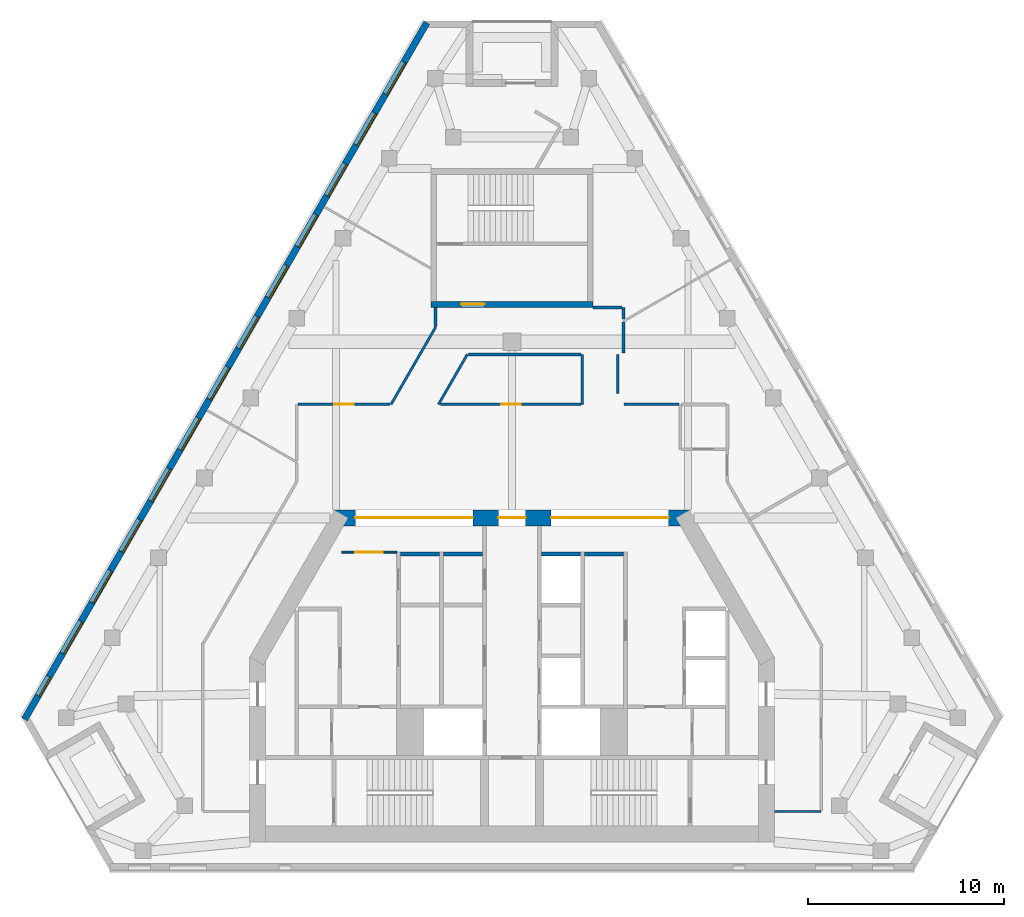
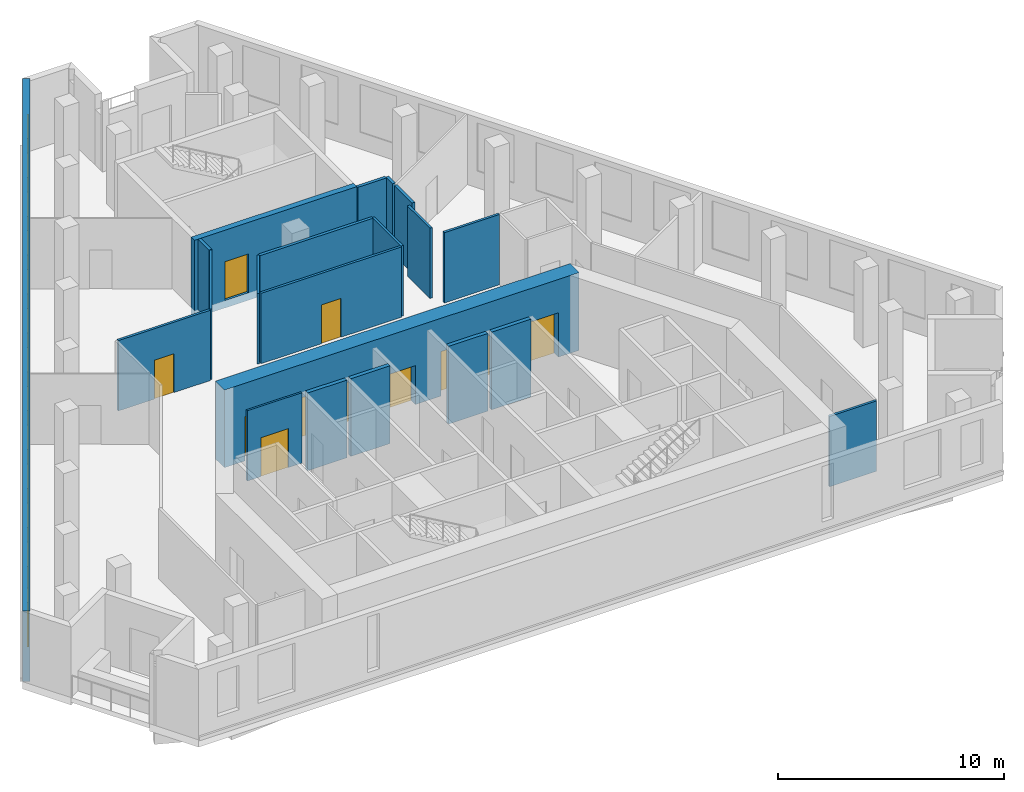
# One storey, part 4 of 8: 21 walls, 13 windows, 7 doors, 20 openings.
"""IFC4 building model written with IfcOpenShell, lengths in metres."""

from ifc_helpers import new_model, si_unit, direction, frame, frame_2d, origin, place, context, subcontext, project, spatial, rectangle, extrude, material, layer, layer_set, type_object, element, fill, save


model = new_model("IFC4")

# Units and contexts
model_context = context("Model", 3, precision=1e-05, world=origin(), true_north=direction((0.0, 1.0)))
body_context = subcontext(model_context, "Body", "Model", "MODEL_VIEW")
ifc_project = project(units=[si_unit("LENGTHUNIT", "METRE"), si_unit("AREAUNIT", "SQUARE_METRE"), si_unit("VOLUMEUNIT", "CUBIC_METRE"), si_unit("PLANEANGLEUNIT", "RADIAN"), si_unit("MASSUNIT", "GRAM", prefix="KILO")], contexts=[model_context])

# Site, building, storey
site_placement = place(None, origin())
site = spatial("IfcSite", under=ifc_project, at=site_placement, CompositionType="ELEMENT")
building_placement = place(site_placement, origin())
building = spatial("IfcBuilding", under=site, at=building_placement, Name="Fogline Exchange Tower", CompositionType="ELEMENT")
storey_placement = place(building_placement, frame((0.0, 0.0, 291.89990234375)))
storey = spatial("IfcBuildingStorey", under=building, at=storey_placement, Name="L66", CompositionType="ELEMENT", Elevation=291.89990234375)

# Wall, opening, door
ifc_material_1 = material(Name="Blockwork partition", Category="masonry")
ifc_layer_1 = layer(ifc_material_1, 0.10009765625)
ifc_layer_set_1 = layer_set([ifc_layer_1], Name="CW10")
wall_type_1 = type_object("IfcWallType", Name="CW10", PredefinedType="PARTITIONING", material=ifc_layer_set_1)
wall_1_placement = place(storey_placement, frame((-8.699951171875, 16.25, 0.0), z_axis=(0.0, 0.0, 1.0), x_axis=(1.0, 0.0, 0.0)))
wall_1 = element("IfcWall", 1, at=wall_1_placement, inside=storey, type_object=wall_type_1, Name="Lift lobby partition", PredefinedType="PARTITIONING", context=body_context, shape_type="SweptSolid", body=[
    extrude(rectangle(XDim=2.800048828125, YDim=0.10009765625, at=frame_2d((1.39990234375, 0.0))), origin(), (0.0, 0.0, 1.0), 3.800048828125),
])
opening_1_placement = place(wall_1_placement, frame((0.699951171875, 0.0, 0.0)))
opening_1 = element("IfcOpeningElement", 2, at=opening_1_placement, cuts=wall_1, Name="Opening T21-C009", PredefinedType="OPENING", context=body_context, shape_type="SweptSolid", body=[
    extrude(rectangle(XDim=1.39990234375, YDim=2.10009765625, at=frame_2d((0.699951171875, 1.050048828125))), frame((0.0, 0.06005859375, 0.0), z_axis=(0.0, -1.0, 0.0), x_axis=(1.0, 0.0, 0.0)), (0.0, 0.0, 1.0), 0.1201171875),
])
ifc_material_2 = material(Name="Steel and timber fire door", Category="steel")
door_type_1 = type_object("IfcDoorType", Name="D-LB1", OperationType="DOUBLE_DOOR_SINGLE_SWING", PredefinedType="DOOR", material=ifc_material_2)
door_1_placement = place(opening_1_placement, origin())
door_1 = element("IfcDoor", 3, at=door_1_placement, inside=storey, type_object=door_type_1, Name="Door to lift lobby", OperationType="DOUBLE_DOOR_SINGLE_SWING", OverallHeight=2.10009765625, OverallWidth=1.39990234375, PredefinedType="DOOR", context=body_context, shape_type="SweptSolid", body=[
    extrude(rectangle(XDim=1.39990234375, YDim=2.10009765625, at=frame_2d((0.699951171875, 1.050048828125))), frame((0.0, 0.02490234375, 0.0), z_axis=(0.0, -1.0, 0.0), x_axis=(1.0, 0.0, 0.0)), (0.0, 0.0, 1.0), 0.050048828125),
])
fill(opening_1, door_1)

# Walls
ifc_material_3 = material(Name="Concrete C40", Category="concrete")
ifc_layer_2 = layer(ifc_material_3, 0.199951171875)
ifc_layer_set_2 = layer_set([ifc_layer_2], Name="CW20S")
wall_type_2 = type_object("IfcWallType", Name="CW20S", PredefinedType="SOLIDWALL", material=ifc_layer_set_2)
for number, where, z_axis, x_axis, name in (
    (4, (-5.699951171875, 16.14990234375, -0.39990234375), (0.0, 0.0, 1.0), (1.0, 0.0, 0.0), "Lift shaft wall"),
    (5, (-3.5, 16.14990234375, -0.39990234375), (0.0, 0.0, 1.0), (1.0, 0.0, 0.0), "Lift shaft wall"),
    (6, (3.699951171875, 16.14990234375, -0.39990234375), (0.0, 0.0, 1.0), (1.0, 0.0, 0.0), "Lift shaft wall"),
    (7, (1.5, 16.14990234375, -0.39990234375), (0.0, 0.0, 1.0), (1.0, 0.0, 0.0), "Lift shaft wall"),
):
    element("IfcWall", number, at=place(storey_placement, frame(where, z_axis=z_axis, x_axis=x_axis)), inside=storey, type_object=wall_type_2, Name=name, PredefinedType="SOLIDWALL", context=body_context, shape_type="SweptSolid", body=[
        extrude(rectangle(XDim=2.0, YDim=0.199951171875, at=frame_2d((1.0, 0.0))), origin(), (0.0, 0.0, 1.0), 4.199951171875),
    ])

# Wall, opening, door
ifc_layer_3 = layer(ifc_material_3, 0.300048828125)
ifc_layer_set_3 = layer_set([ifc_layer_3], Name="CW30")
wall_type_3 = type_object("IfcWallType", Name="CW30", PredefinedType="SOLIDWALL", material=ifc_layer_set_3)
wall_2_placement = place(storey_placement, frame((-4.14990234375, 28.906982421875, -0.39990234375), z_axis=(0.0, 0.0, 1.0), x_axis=(1.0, 0.0, 0.0)))
wall_2 = element("IfcWall", 8, at=wall_2_placement, inside=storey, type_object=wall_type_3, Name="Stair enclosure wall ST3", PredefinedType="SOLIDWALL", context=body_context, shape_type="SweptSolid", body=[
    extrude(rectangle(XDim=8.2998046875, YDim=0.300048828125, at=frame_2d((4.14990234375, 0.0))), origin(), (0.0, 0.0, 1.0), 4.199951171875),
])
opening_2_placement = place(wall_2_placement, frame((1.550048828125, 0.0, 0.39990234375)))
opening_2 = element("IfcOpeningElement", 9, at=opening_2_placement, cuts=wall_2, Name="Opening T21-C023", PredefinedType="OPENING", context=body_context, shape_type="SweptSolid", body=[
    extrude(rectangle(XDim=1.199951171875, YDim=2.10009765625, at=frame_2d((0.60009765625, 1.050048828125))), frame((0.0, 0.16015625, 0.0), z_axis=(0.0, -1.0, 0.0), x_axis=(1.0, 0.0, 0.0)), (0.0, 0.0, 1.0), 0.320068359375),
])
door_type_2 = type_object("IfcDoorType", Name="D-FR1", OperationType="SINGLE_SWING_RIGHT", PredefinedType="DOOR", material=ifc_material_2)
door_2_placement = place(opening_2_placement, origin())
door_2 = element("IfcDoor", 10, at=door_2_placement, inside=storey, type_object=door_type_2, Name="Front room door ST3", OperationType="SINGLE_SWING_LEFT", OverallHeight=2.10009765625, OverallWidth=1.199951171875, PredefinedType="DOOR", context=body_context, shape_type="SweptSolid", body=[
    extrude(rectangle(XDim=1.199951171875, YDim=2.10009765625, at=frame_2d((0.60009765625, 1.050048828125))), frame((0.0, 0.02490234375, 0.0), z_axis=(0.0, -1.0, 0.0), x_axis=(1.0, 0.0, 0.0)), (0.0, 0.0, 1.0), 0.050048828125),
])
fill(opening_2, door_2)

# Wall, openings, windows
ifc_material_4 = material(Name="Brick masonry", Category="masonry")
ifc_layer_4 = layer(ifc_material_4, 0.340087890625)
ifc_layer_set_4 = layer_set([ifc_layer_4], Name="FW1")
wall_type_4 = type_object("IfcWallType", Name="FW1", PredefinedType="SOLIDWALL", material=ifc_layer_set_4)
wall_3_placement = place(storey_placement, frame((-4.352783203125, 43.306640625, 0.0), z_axis=(0.0, 0.0, 1.0), x_axis=(-0.50000128873, -0.866024659735, 0.0)))
wall_3 = element("IfcWall", 11, at=wall_3_placement, inside=storey, type_object=wall_type_4, Name="Brick wall L66 W", PredefinedType="SOLIDWALL", context=body_context, shape_type="SweptSolid", body=[
    extrude(rectangle(XDim=41.1044921875, YDim=0.340087890625, at=frame_2d((20.55224609375, 0.0))), origin(), (0.0, 0.0, 1.0), 3.800048828125),
])
opening_3_placement = place(wall_3_placement, frame((2.328369140625, 0.0, 0.89990234375)))
opening_3 = element("IfcOpeningElement", 12, at=opening_3_placement, cuts=wall_3, Name="Opening W3", PredefinedType="OPENING", context=body_context, shape_type="SweptSolid", body=[
    extrude(rectangle(XDim=1.885009765625, YDim=2.60009765625, at=frame_2d((0.9423828125, 1.300048828125))), frame((0.0, 0.18017578125, 0.0), z_axis=(0.0, -1.0, 0.0), x_axis=(1.0, 0.0, 0.0)), (0.0, 0.0, 1.0), 0.360107421875),
])
opening_4_placement = place(wall_3_placement, frame((5.328369140625, 0.0, 0.89990234375)))
opening_4 = element("IfcOpeningElement", 13, at=opening_4_placement, cuts=wall_3, Name="Opening W3", PredefinedType="OPENING", context=body_context, shape_type="SweptSolid", body=[
    extrude(rectangle(XDim=1.885009765625, YDim=2.60009765625, at=frame_2d((0.9423828125, 1.300048828125))), frame((0.0, 0.18017578125, 0.0), z_axis=(0.0, -1.0, 0.0), x_axis=(1.0, 0.0, 0.0)), (0.0, 0.0, 1.0), 0.360107421875),
])
opening_5_placement = place(wall_3_placement, frame((8.328369140625, 0.0, 0.89990234375)))
opening_5 = element("IfcOpeningElement", 14, at=opening_5_placement, cuts=wall_3, Name="Opening W3", PredefinedType="OPENING", context=body_context, shape_type="SweptSolid", body=[
    extrude(rectangle(XDim=1.885009765625, YDim=2.60009765625, at=frame_2d((0.9423828125, 1.300048828125))), frame((0.0, 0.18017578125, 0.0), z_axis=(0.0, -1.0, 0.0), x_axis=(1.0, 0.0, 0.0)), (0.0, 0.0, 1.0), 0.360107421875),
])
opening_6_placement = place(wall_3_placement, frame((11.328369140625, 0.0, 0.89990234375)))
opening_6 = element("IfcOpeningElement", 15, at=opening_6_placement, cuts=wall_3, Name="Opening W3", PredefinedType="OPENING", context=body_context, shape_type="SweptSolid", body=[
    extrude(rectangle(XDim=1.885009765625, YDim=2.60009765625, at=frame_2d((0.9423828125, 1.300048828125))), frame((0.0, 0.18017578125, 0.0), z_axis=(0.0, -1.0, 0.0), x_axis=(1.0, 0.0, 0.0)), (0.0, 0.0, 1.0), 0.360107421875),
])
opening_7_placement = place(wall_3_placement, frame((14.328369140625, 0.0, 0.89990234375)))
opening_7 = element("IfcOpeningElement", 16, at=opening_7_placement, cuts=wall_3, Name="Opening W3", PredefinedType="OPENING", context=body_context, shape_type="SweptSolid", body=[
    extrude(rectangle(XDim=1.885009765625, YDim=2.60009765625, at=frame_2d((0.9423828125, 1.300048828125))), frame((0.0, 0.18017578125, 0.0), z_axis=(0.0, -1.0, 0.0), x_axis=(1.0, 0.0, 0.0)), (0.0, 0.0, 1.0), 0.360107421875),
])
opening_8_placement = place(wall_3_placement, frame((17.328369140625, 0.0, 0.89990234375)))
opening_8 = element("IfcOpeningElement", 17, at=opening_8_placement, cuts=wall_3, Name="Opening W3", PredefinedType="OPENING", context=body_context, shape_type="SweptSolid", body=[
    extrude(rectangle(XDim=1.885009765625, YDim=2.60009765625, at=frame_2d((0.9423828125, 1.300048828125))), frame((0.0, 0.18017578125, 0.0), z_axis=(0.0, -1.0, 0.0), x_axis=(1.0, 0.0, 0.0)), (0.0, 0.0, 1.0), 0.360107421875),
])
opening_9_placement = place(wall_3_placement, frame((20.328369140625, 0.0, 0.89990234375)))
opening_9 = element("IfcOpeningElement", 18, at=opening_9_placement, cuts=wall_3, Name="Opening W3", PredefinedType="OPENING", context=body_context, shape_type="SweptSolid", body=[
    extrude(rectangle(XDim=1.885009765625, YDim=2.60009765625, at=frame_2d((0.9423828125, 1.300048828125))), frame((0.0, 0.18017578125, 0.0), z_axis=(0.0, -1.0, 0.0), x_axis=(1.0, 0.0, 0.0)), (0.0, 0.0, 1.0), 0.360107421875),
])
opening_10_placement = place(wall_3_placement, frame((23.328369140625, 0.0, 0.89990234375)))
opening_10 = element("IfcOpeningElement", 19, at=opening_10_placement, cuts=wall_3, Name="Opening W3", PredefinedType="OPENING", context=body_context, shape_type="SweptSolid", body=[
    extrude(rectangle(XDim=1.885009765625, YDim=2.60009765625, at=frame_2d((0.9423828125, 1.300048828125))), frame((0.0, 0.18017578125, 0.0), z_axis=(0.0, -1.0, 0.0), x_axis=(1.0, 0.0, 0.0)), (0.0, 0.0, 1.0), 0.360107421875),
])
opening_11_placement = place(wall_3_placement, frame((26.328369140625, 0.0, 0.89990234375)))
opening_11 = element("IfcOpeningElement", 20, at=opening_11_placement, cuts=wall_3, Name="Opening W3", PredefinedType="OPENING", context=body_context, shape_type="SweptSolid", body=[
    extrude(rectangle(XDim=1.885009765625, YDim=2.60009765625, at=frame_2d((0.9423828125, 1.300048828125))), frame((0.0, 0.18017578125, 0.0), z_axis=(0.0, -1.0, 0.0), x_axis=(1.0, 0.0, 0.0)), (0.0, 0.0, 1.0), 0.360107421875),
])
opening_12_placement = place(wall_3_placement, frame((29.328369140625, 0.0, 0.89990234375)))
opening_12 = element("IfcOpeningElement", 21, at=opening_12_placement, cuts=wall_3, Name="Opening W3", PredefinedType="OPENING", context=body_context, shape_type="SweptSolid", body=[
    extrude(rectangle(XDim=1.885009765625, YDim=2.60009765625, at=frame_2d((0.9423828125, 1.300048828125))), frame((0.0, 0.18017578125, 0.0), z_axis=(0.0, -1.0, 0.0), x_axis=(1.0, 0.0, 0.0)), (0.0, 0.0, 1.0), 0.360107421875),
])
opening_13_placement = place(wall_3_placement, frame((32.328369140625, 0.0, 0.89990234375)))
opening_13 = element("IfcOpeningElement", 22, at=opening_13_placement, cuts=wall_3, Name="Opening W3", PredefinedType="OPENING", context=body_context, shape_type="SweptSolid", body=[
    extrude(rectangle(XDim=1.885009765625, YDim=2.60009765625, at=frame_2d((0.9423828125, 1.300048828125))), frame((0.0, 0.18017578125, 0.0), z_axis=(0.0, -1.0, 0.0), x_axis=(1.0, 0.0, 0.0)), (0.0, 0.0, 1.0), 0.360107421875),
])
opening_14_placement = place(wall_3_placement, frame((35.328369140625, 0.0, 0.89990234375)))
opening_14 = element("IfcOpeningElement", 23, at=opening_14_placement, cuts=wall_3, Name="Opening W3", PredefinedType="OPENING", context=body_context, shape_type="SweptSolid", body=[
    extrude(rectangle(XDim=1.885009765625, YDim=2.60009765625, at=frame_2d((0.9423828125, 1.300048828125))), frame((0.0, 0.18017578125, 0.0), z_axis=(0.0, -1.0, 0.0), x_axis=(1.0, 0.0, 0.0)), (0.0, 0.0, 1.0), 0.360107421875),
])
opening_15_placement = place(wall_3_placement, frame((38.601318359375, 0.0, 0.89990234375)))
opening_15 = element("IfcOpeningElement", 24, at=opening_15_placement, cuts=wall_3, Name="Opening W4", PredefinedType="OPENING", context=body_context, shape_type="SweptSolid", body=[
    extrude(rectangle(XDim=1.114990234375, YDim=2.39990234375, at=frame_2d((0.5576171875, 1.199951171875))), frame((0.0, 0.18017578125, 0.0), z_axis=(0.0, -1.0, 0.0), x_axis=(1.0, 0.0, 0.0)), (0.0, 0.0, 1.0), 0.360107421875),
])
ifc_material_5 = material(Name="Aluminium and glass", Category="aluminium")
window_type_1 = type_object("IfcWindowType", Name="W3", PartitioningType="SINGLE_PANEL", PredefinedType="WINDOW", material=ifc_material_5)
window_1_placement = place(opening_3_placement, origin())
window_1 = element("IfcWindow", 25, at=window_1_placement, inside=storey, type_object=window_type_1, Name="W3 W3", OverallHeight=2.60009765625, OverallWidth=1.885009765625, PartitioningType="SINGLE_PANEL", PredefinedType="WINDOW", context=body_context, shape_type="SweptSolid", body=[
    extrude(rectangle(XDim=1.885009765625, YDim=2.60009765625, at=frame_2d((0.9423828125, 1.300048828125))), frame((0.0, 0.110107421875, 0.0), z_axis=(0.0, -1.0, 0.0), x_axis=(1.0, 0.0, 0.0)), (0.0, 0.0, 1.0), 0.06005859375),
])
fill(opening_3, window_1)
window_2_placement = place(opening_4_placement, origin())
window_2 = element("IfcWindow", 26, at=window_2_placement, inside=storey, type_object=window_type_1, Name="W3 W3", OverallHeight=2.60009765625, OverallWidth=1.885009765625, PartitioningType="SINGLE_PANEL", PredefinedType="WINDOW", context=body_context, shape_type="SweptSolid", body=[
    extrude(rectangle(XDim=1.885009765625, YDim=2.60009765625, at=frame_2d((0.9423828125, 1.300048828125))), frame((0.0, 0.110107421875, 0.0), z_axis=(0.0, -1.0, 0.0), x_axis=(1.0, 0.0, 0.0)), (0.0, 0.0, 1.0), 0.06005859375),
])
fill(opening_4, window_2)
window_3_placement = place(opening_5_placement, origin())
window_3 = element("IfcWindow", 27, at=window_3_placement, inside=storey, type_object=window_type_1, Name="W3 W3", OverallHeight=2.60009765625, OverallWidth=1.885009765625, PartitioningType="SINGLE_PANEL", PredefinedType="WINDOW", context=body_context, shape_type="SweptSolid", body=[
    extrude(rectangle(XDim=1.885009765625, YDim=2.60009765625, at=frame_2d((0.9423828125, 1.300048828125))), frame((0.0, 0.110107421875, 0.0), z_axis=(0.0, -1.0, 0.0), x_axis=(1.0, 0.0, 0.0)), (0.0, 0.0, 1.0), 0.06005859375),
])
fill(opening_5, window_3)
window_4_placement = place(opening_6_placement, origin())
window_4 = element("IfcWindow", 28, at=window_4_placement, inside=storey, type_object=window_type_1, Name="W3 W3", OverallHeight=2.60009765625, OverallWidth=1.885009765625, PartitioningType="SINGLE_PANEL", PredefinedType="WINDOW", context=body_context, shape_type="SweptSolid", body=[
    extrude(rectangle(XDim=1.885009765625, YDim=2.60009765625, at=frame_2d((0.9423828125, 1.300048828125))), frame((0.0, 0.110107421875, 0.0), z_axis=(0.0, -1.0, 0.0), x_axis=(1.0, 0.0, 0.0)), (0.0, 0.0, 1.0), 0.06005859375),
])
fill(opening_6, window_4)
window_5_placement = place(opening_7_placement, origin())
window_5 = element("IfcWindow", 29, at=window_5_placement, inside=storey, type_object=window_type_1, Name="W3 W3", OverallHeight=2.60009765625, OverallWidth=1.885009765625, PartitioningType="SINGLE_PANEL", PredefinedType="WINDOW", context=body_context, shape_type="SweptSolid", body=[
    extrude(rectangle(XDim=1.885009765625, YDim=2.60009765625, at=frame_2d((0.9423828125, 1.300048828125))), frame((0.0, 0.110107421875, 0.0), z_axis=(0.0, -1.0, 0.0), x_axis=(1.0, 0.0, 0.0)), (0.0, 0.0, 1.0), 0.06005859375),
])
fill(opening_7, window_5)
window_6_placement = place(opening_8_placement, origin())
window_6 = element("IfcWindow", 30, at=window_6_placement, inside=storey, type_object=window_type_1, Name="W3 W3", OverallHeight=2.60009765625, OverallWidth=1.885009765625, PartitioningType="SINGLE_PANEL", PredefinedType="WINDOW", context=body_context, shape_type="SweptSolid", body=[
    extrude(rectangle(XDim=1.885009765625, YDim=2.60009765625, at=frame_2d((0.9423828125, 1.300048828125))), frame((0.0, 0.110107421875, 0.0), z_axis=(0.0, -1.0, 0.0), x_axis=(1.0, 0.0, 0.0)), (0.0, 0.0, 1.0), 0.06005859375),
])
fill(opening_8, window_6)
window_7_placement = place(opening_9_placement, origin())
window_7 = element("IfcWindow", 31, at=window_7_placement, inside=storey, type_object=window_type_1, Name="W3 W3", OverallHeight=2.60009765625, OverallWidth=1.885009765625, PartitioningType="SINGLE_PANEL", PredefinedType="WINDOW", context=body_context, shape_type="SweptSolid", body=[
    extrude(rectangle(XDim=1.885009765625, YDim=2.60009765625, at=frame_2d((0.9423828125, 1.300048828125))), frame((0.0, 0.110107421875, 0.0), z_axis=(0.0, -1.0, 0.0), x_axis=(1.0, 0.0, 0.0)), (0.0, 0.0, 1.0), 0.06005859375),
])
fill(opening_9, window_7)
window_8_placement = place(opening_10_placement, origin())
window_8 = element("IfcWindow", 32, at=window_8_placement, inside=storey, type_object=window_type_1, Name="W3 W3", OverallHeight=2.60009765625, OverallWidth=1.885009765625, PartitioningType="SINGLE_PANEL", PredefinedType="WINDOW", context=body_context, shape_type="SweptSolid", body=[
    extrude(rectangle(XDim=1.885009765625, YDim=2.60009765625, at=frame_2d((0.9423828125, 1.300048828125))), frame((0.0, 0.110107421875, 0.0), z_axis=(0.0, -1.0, 0.0), x_axis=(1.0, 0.0, 0.0)), (0.0, 0.0, 1.0), 0.06005859375),
])
fill(opening_10, window_8)
window_9_placement = place(opening_11_placement, origin())
window_9 = element("IfcWindow", 33, at=window_9_placement, inside=storey, type_object=window_type_1, Name="W3 W3", OverallHeight=2.60009765625, OverallWidth=1.885009765625, PartitioningType="SINGLE_PANEL", PredefinedType="WINDOW", context=body_context, shape_type="SweptSolid", body=[
    extrude(rectangle(XDim=1.885009765625, YDim=2.60009765625, at=frame_2d((0.9423828125, 1.300048828125))), frame((0.0, 0.110107421875, 0.0), z_axis=(0.0, -1.0, 0.0), x_axis=(1.0, 0.0, 0.0)), (0.0, 0.0, 1.0), 0.06005859375),
])
fill(opening_11, window_9)
window_10_placement = place(opening_12_placement, origin())
window_10 = element("IfcWindow", 34, at=window_10_placement, inside=storey, type_object=window_type_1, Name="W3 W3", OverallHeight=2.60009765625, OverallWidth=1.885009765625, PartitioningType="SINGLE_PANEL", PredefinedType="WINDOW", context=body_context, shape_type="SweptSolid", body=[
    extrude(rectangle(XDim=1.885009765625, YDim=2.60009765625, at=frame_2d((0.9423828125, 1.300048828125))), frame((0.0, 0.110107421875, 0.0), z_axis=(0.0, -1.0, 0.0), x_axis=(1.0, 0.0, 0.0)), (0.0, 0.0, 1.0), 0.06005859375),
])
fill(opening_12, window_10)
window_11_placement = place(opening_13_placement, origin())
window_11 = element("IfcWindow", 35, at=window_11_placement, inside=storey, type_object=window_type_1, Name="W3 W3", OverallHeight=2.60009765625, OverallWidth=1.885009765625, PartitioningType="SINGLE_PANEL", PredefinedType="WINDOW", context=body_context, shape_type="SweptSolid", body=[
    extrude(rectangle(XDim=1.885009765625, YDim=2.60009765625, at=frame_2d((0.9423828125, 1.300048828125))), frame((0.0, 0.110107421875, 0.0), z_axis=(0.0, -1.0, 0.0), x_axis=(1.0, 0.0, 0.0)), (0.0, 0.0, 1.0), 0.06005859375),
])
fill(opening_13, window_11)
window_12_placement = place(opening_14_placement, origin())
window_12 = element("IfcWindow", 36, at=window_12_placement, inside=storey, type_object=window_type_1, Name="W3 W3", OverallHeight=2.60009765625, OverallWidth=1.885009765625, PartitioningType="SINGLE_PANEL", PredefinedType="WINDOW", context=body_context, shape_type="SweptSolid", body=[
    extrude(rectangle(XDim=1.885009765625, YDim=2.60009765625, at=frame_2d((0.9423828125, 1.300048828125))), frame((0.0, 0.110107421875, 0.0), z_axis=(0.0, -1.0, 0.0), x_axis=(1.0, 0.0, 0.0)), (0.0, 0.0, 1.0), 0.06005859375),
])
fill(opening_14, window_12)
window_type_2 = type_object("IfcWindowType", Name="W4", PartitioningType="SINGLE_PANEL", PredefinedType="WINDOW", material=ifc_material_5)
window_13_placement = place(opening_15_placement, origin())
window_13 = element("IfcWindow", 37, at=window_13_placement, inside=storey, type_object=window_type_2, Name="W4 W4", OverallHeight=2.39990234375, OverallWidth=1.114990234375, PartitioningType="SINGLE_PANEL", PredefinedType="WINDOW", context=body_context, shape_type="SweptSolid", body=[
    extrude(rectangle(XDim=1.114990234375, YDim=2.39990234375, at=frame_2d((0.5576171875, 1.199951171875))), frame((0.0, 0.110107421875, 0.0), z_axis=(0.0, -1.0, 0.0), x_axis=(1.0, 0.0, 0.0)), (0.0, 0.0, 1.0), 0.06005859375),
])
fill(opening_15, window_13)

# Walls
ifc_material_6 = material(Name="Plasterboard corridor partition with mineral wool, 2 layers each side")
ifc_layer_5 = layer(ifc_material_6, 0.125)
ifc_layer_set_5 = layer_set([ifc_layer_5], Name="PW2")
wall_type_5 = type_object("IfcWallType", Name="PW2", PredefinedType="PARTITIONING", material=ifc_layer_set_5)
wall_4_placement = place(storey_placement, frame((15.800048828125, 3.0, 0.0), z_axis=(0.0, 0.0, 1.0), x_axis=(-1.0, 0.0, 0.0)))
element("IfcWall", 38, at=wall_4_placement, inside=storey, type_object=wall_type_5, Name="wall-L66-W004", PredefinedType="PARTITIONING", context=body_context, shape_type="SweptSolid", body=[
    extrude(rectangle(XDim=2.400146484375, YDim=0.125, at=frame_2d((1.2001953125, 0.0))), origin(), (0.0, 0.0, 1.0), 3.800048828125),
])
wall_5_placement = place(storey_placement, frame((5.71923828125, 23.800048828125, 0.0), z_axis=(0.0, 0.0, 1.0), x_axis=(1.0, 0.0, 0.0)))
element("IfcWall", 39, at=wall_5_placement, inside=storey, type_object=wall_type_5, Name="wall-L66-W007", PredefinedType="PARTITIONING", context=body_context, shape_type="SweptSolid", body=[
    extrude(rectangle(XDim=2.81787109375, YDim=0.125, at=frame_2d((1.408935546875, 0.0))), origin(), (0.0, 0.0, 1.0), 3.800048828125),
])

# Wall, opening, door
wall_6_placement = place(storey_placement, frame((-3.6474609375, 23.800048828125, 0.0), z_axis=(0.0, 0.0, 1.0), x_axis=(1.0, 0.0, 0.0)))
wall_6 = element("IfcWall", 40, at=wall_6_placement, inside=storey, type_object=wall_type_5, Name="wall-L66-W009", PredefinedType="PARTITIONING", context=body_context, shape_type="SweptSolid", body=[
    extrude(rectangle(XDim=7.18505859375, YDim=0.125, at=frame_2d((3.592529296875, 0.0))), origin(), (0.0, 0.0, 1.0), 3.800048828125),
])
opening_16_placement = place(wall_6_placement, frame((3.092529296875, 0.0, 0.0)))
opening_16 = element("IfcOpeningElement", 41, at=opening_16_placement, cuts=wall_6, Name="Opening T21-D004", PredefinedType="OPENING", context=body_context, shape_type="SweptSolid", body=[
    extrude(rectangle(XDim=1.0, YDim=2.10009765625, at=frame_2d((0.5, 1.050048828125))), frame((0.0, 0.072509765625, 0.0), z_axis=(0.0, -1.0, 0.0), x_axis=(1.0, 0.0, 0.0)), (0.0, 0.0, 1.0), 0.14501953125),
])
ifc_material_7 = material(Name="Fire-rated timber door leaf with steel frame", Category="steel")
door_type_3 = type_object("IfcDoorType", Name="D3", OperationType="SINGLE_SWING_LEFT", PredefinedType="DOOR", material=ifc_material_7)
door_3_placement = place(opening_16_placement, origin())
door_3 = element("IfcDoor", 42, at=door_3_placement, inside=storey, type_object=door_type_3, Name="door-L66-D004", OperationType="SINGLE_SWING_LEFT", OverallHeight=2.10009765625, OverallWidth=1.0, PredefinedType="DOOR", context=body_context, shape_type="SweptSolid", body=[
    extrude(rectangle(XDim=1.0, YDim=2.10009765625, at=frame_2d((0.5, 1.050048828125))), frame((0.0, 0.02490234375, 0.0), z_axis=(0.0, -1.0, 0.0), x_axis=(1.0, 0.0, 0.0)), (0.0, 0.0, 1.0), 0.050048828125),
])
fill(opening_16, door_3)

wall_7_placement = place(storey_placement, frame((-10.9375, 23.800048828125, 0.0), z_axis=(0.0, 0.0, 1.0), x_axis=(1.0, 0.0, 0.0)))
wall_7 = element("IfcWall", 43, at=wall_7_placement, inside=storey, type_object=wall_type_5, Name="wall-L66-W011", PredefinedType="PARTITIONING", context=body_context, shape_type="SweptSolid", body=[
    extrude(rectangle(XDim=4.70263671875, YDim=0.125, at=frame_2d((2.351318359375, 0.0))), origin(), (0.0, 0.0, 1.0), 3.800048828125),
])
opening_17_placement = place(wall_7_placement, frame((1.851318359375, 0.0, 0.0)))
opening_17 = element("IfcOpeningElement", 44, at=opening_17_placement, cuts=wall_7, Name="Opening T21-D005", PredefinedType="OPENING", context=body_context, shape_type="SweptSolid", body=[
    extrude(rectangle(XDim=1.0, YDim=2.10009765625, at=frame_2d((0.5, 1.050048828125))), frame((0.0, 0.072509765625, 0.0), z_axis=(0.0, -1.0, 0.0), x_axis=(1.0, 0.0, 0.0)), (0.0, 0.0, 1.0), 0.14501953125),
])
door_4_placement = place(opening_17_placement, origin())
door_4 = element("IfcDoor", 45, at=door_4_placement, inside=storey, type_object=door_type_3, Name="door-L66-D005", OperationType="SINGLE_SWING_LEFT", OverallHeight=2.10009765625, OverallWidth=1.0, PredefinedType="DOOR", context=body_context, shape_type="SweptSolid", body=[
    extrude(rectangle(XDim=1.0, YDim=2.10009765625, at=frame_2d((0.5, 1.050048828125))), frame((0.0, 0.02490234375, 0.0), z_axis=(0.0, -1.0, 0.0), x_axis=(1.0, 0.0, 0.0)), (0.0, 0.0, 1.0), 0.050048828125),
])
fill(opening_17, door_4)

# Walls
wall_8_placement = place(storey_placement, frame((5.39990234375, 26.35693359375, 0.0), z_axis=(0.0, 0.0, 1.0), x_axis=(0.0, -1.0, 0.0)))
element("IfcWall", 46, at=wall_8_placement, inside=storey, type_object=wall_type_5, Name="wall-L66-W021", PredefinedType="PARTITIONING", context=body_context, shape_type="SweptSolid", body=[
    extrude(rectangle(XDim=2.004150390625, YDim=0.125, at=frame_2d((1.001953125, 0.0))), origin(), (0.0, 0.0, 1.0), 3.800048828125),
])
wall_9_placement = place(storey_placement, frame((3.60009765625, 23.800048828125, 0.0), z_axis=(0.0, 0.0, 1.0), x_axis=(0.0, 1.0, 0.0)))
element("IfcWall", 47, at=wall_9_placement, inside=storey, type_object=wall_type_5, Name="wall-L66-W022", PredefinedType="PARTITIONING", context=body_context, shape_type="SweptSolid", body=[
    extrude(rectangle(XDim=2.556884765625, YDim=0.125, at=frame_2d((1.2783203125, 0.0))), origin(), (0.0, 0.0, 1.0), 3.800048828125),
])
wall_10_placement = place(storey_placement, frame((-2.27978515625, 26.35693359375, 0.0), z_axis=(0.0, 0.0, 1.0), x_axis=(-0.500025466029, -0.866010700467, 0.0)))
element("IfcWall", 48, at=wall_10_placement, inside=storey, type_object=wall_type_5, Name="wall-L66-W023", PredefinedType="PARTITIONING", context=body_context, shape_type="SweptSolid", body=[
    extrude(rectangle(XDim=2.952392578125, YDim=0.125, at=frame_2d((1.47607421875, 0.0))), origin(), (0.0, 0.0, 1.0), 3.800048828125),
])
wall_11_placement = place(storey_placement, frame((-6.180908203125, 23.800048828125, 0.0), z_axis=(0.0, 0.0, 1.0), x_axis=(0.49998958839, 0.866031414847, 0.0)))
element("IfcWall", 49, at=wall_11_placement, inside=storey, type_object=wall_type_5, Name="wall-L66-W024", PredefinedType="PARTITIONING", context=body_context, shape_type="SweptSolid", body=[
    extrude(rectangle(XDim=4.56201171875, YDim=0.125, at=frame_2d((2.281005859375, 0.0))), origin(), (0.0, 0.0, 1.0), 3.800048828125),
])
ifc_material_8 = material(Name="Plasterboard stair lobby partition, 3 layers each side on steel studs", Category="steel")
ifc_layer_6 = layer(ifc_material_8, 0.14990234375)
ifc_layer_set_6 = layer_set([ifc_layer_6], Name="PW4")
wall_type_6 = type_object("IfcWallType", Name="PW4", PredefinedType="PARTITIONING", material=ifc_layer_set_6)
wall_12_placement = place(storey_placement, frame((5.699951171875, 28.0068359375, 0.0), z_axis=(0.0, 0.0, 1.0), x_axis=(0.0, -1.0, 0.0)))
element("IfcWall", 50, at=wall_12_placement, inside=storey, type_object=wall_type_6, Name="wall-L66-W016", PredefinedType="PARTITIONING", context=body_context, shape_type="SweptSolid", body=[
    extrude(rectangle(XDim=1.574951171875, YDim=0.14990234375, at=frame_2d((0.78759765625, 0.0))), origin(), (0.0, 0.0, 1.0), 3.800048828125),
])
wall_13_placement = place(storey_placement, frame((4.14990234375, 28.757080078125, 0.0), z_axis=(0.0, 0.0, 1.0), x_axis=(1.0, 0.0, 0.0)))
element("IfcWall", 51, at=wall_13_placement, inside=storey, type_object=wall_type_6, Name="wall-L66-W017", PredefinedType="PARTITIONING", context=body_context, shape_type="SweptSolid", body=[
    extrude(rectangle(XDim=1.47509765625, YDim=0.14990234375, at=frame_2d((0.737548828125, 0.0))), origin(), (0.0, 0.0, 1.0), 3.800048828125),
])
wall_14_placement = place(storey_placement, frame((5.699951171875, 28.757080078125, 0.0), z_axis=(0.0, 0.0, 1.0), x_axis=(0.0, -1.0, 0.0)))
element("IfcWall", 52, at=wall_14_placement, inside=storey, type_object=wall_type_6, Name="wall-L66-W018", PredefinedType="PARTITIONING", context=body_context, shape_type="SweptSolid", body=[
    extrude(rectangle(XDim=0.60498046875, YDim=0.14990234375, at=frame_2d((0.302490234375, 0.0))), origin(), (0.0, 0.0, 1.0), 3.800048828125),
])
wall_15_placement = place(storey_placement, frame((3.53759765625, 26.35693359375, 0.0), z_axis=(0.0, 0.0, 1.0), x_axis=(-1.0, 0.0, 0.0)))
element("IfcWall", 53, at=wall_15_placement, inside=storey, type_object=wall_type_6, Name="wall-L66-W019", PredefinedType="PARTITIONING", context=body_context, shape_type="SweptSolid", body=[
    extrude(rectangle(XDim=5.763671875, YDim=0.14990234375, at=frame_2d((2.8818359375, 0.0))), origin(), (0.0, 0.0, 1.0), 3.800048828125),
])
wall_16_placement = place(storey_placement, frame((-3.89990234375, 27.781982421875, 0.0), z_axis=(0.0, 0.0, 1.0), x_axis=(0.0, 1.0, 0.0)))
element("IfcWall", 54, at=wall_16_placement, inside=storey, type_object=wall_type_6, Name="wall-L66-W020", PredefinedType="PARTITIONING", context=body_context, shape_type="SweptSolid", body=[
    extrude(rectangle(XDim=0.97509765625, YDim=0.14990234375, at=frame_2d((0.487548828125, 0.0))), origin(), (0.0, 0.0, 1.0), 3.800048828125),
])

# Wall, openings, doors
ifc_material_9 = material(Name="Concrete C50", Category="concrete")
ifc_layer_7 = layer(ifc_material_9, 0.800048828125)
ifc_layer_set_7 = layer_set([ifc_layer_7], Name="SW04")
wall_type_7 = type_object("IfcWallType", Name="SW04", PredefinedType="SHEAR", material=ifc_layer_set_7)
wall_17_placement = place(storey_placement, frame((9.065185546875, 18.0, 0.0), z_axis=(0.0, 0.0, 1.0), x_axis=(-1.0, 0.0, 0.0)))
wall_17 = element("IfcWall", 55, at=wall_17_placement, inside=storey, type_object=wall_type_7, Name="L66-W904", PredefinedType="SHEAR", context=body_context, shape_type="SweptSolid", body=[
    extrude(rectangle(XDim=18.13037109375, YDim=0.800048828125, at=frame_2d((9.065185546875, 0.0))), origin(), (0.0, 0.0, 1.0), 4.2001953125),
])
opening_18_placement = place(wall_17_placement, frame((8.364990234375, 0.0, 0.0)))
opening_18 = element("IfcOpeningElement", 56, at=opening_18_placement, cuts=wall_17, Name="Opening T21-C020", PredefinedType="OPENING", context=body_context, shape_type="SweptSolid", body=[
    extrude(rectangle(XDim=1.39990234375, YDim=2.10009765625, at=frame_2d((0.699951171875, 1.050048828125))), frame((0.0, 0.41015625, 0.0), z_axis=(0.0, -1.0, 0.0), x_axis=(1.0, 0.0, 0.0)), (0.0, 0.0, 1.0), 0.820068359375),
])
opening_19_placement = place(wall_17_placement, frame((11.065185546875, 0.0, 0.0)))
opening_19 = element("IfcOpeningElement", 57, at=opening_19_placement, cuts=wall_17, Name="Opening T21-C021", PredefinedType="OPENING", context=body_context, shape_type="SweptSolid", body=[
    extrude(rectangle(XDim=6.0, YDim=2.39990234375, at=frame_2d((3.0, 1.199951171875))), frame((0.0, 0.41015625, 0.0), z_axis=(0.0, -1.0, 0.0), x_axis=(1.0, 0.0, 0.0)), (0.0, 0.0, 1.0), 0.820068359375),
])
opening_20_placement = place(wall_17_placement, frame((1.065185546875, 0.0, 0.0)))
opening_20 = element("IfcOpeningElement", 58, at=opening_20_placement, cuts=wall_17, Name="Opening T21-C022", PredefinedType="OPENING", context=body_context, shape_type="SweptSolid", body=[
    extrude(rectangle(XDim=6.0, YDim=2.39990234375, at=frame_2d((3.0, 1.199951171875))), frame((0.0, 0.41015625, 0.0), z_axis=(0.0, -1.0, 0.0), x_axis=(1.0, 0.0, 0.0)), (0.0, 0.0, 1.0), 0.820068359375),
])
door_5_placement = place(opening_18_placement, origin())
door_5 = element("IfcDoor", 59, at=door_5_placement, inside=storey, type_object=door_type_1, Name="Protected lobby door", OperationType="DOUBLE_DOOR_SINGLE_SWING", OverallHeight=2.10009765625, OverallWidth=1.39990234375, PredefinedType="DOOR", context=body_context, shape_type="SweptSolid", body=[
    extrude(rectangle(XDim=1.39990234375, YDim=2.10009765625, at=frame_2d((0.699951171875, 1.050048828125))), frame((0.0, 0.02490234375, 0.0), z_axis=(0.0, -1.0, 0.0), x_axis=(1.0, 0.0, 0.0)), (0.0, 0.0, 1.0), 0.050048828125),
])
fill(opening_18, door_5)
door_type_4 = type_object("IfcDoorType", Name="D-LE1", OperationType="DOUBLE_DOOR_SLIDING", PredefinedType="DOOR", material=ifc_material_2)
door_6_placement = place(opening_19_placement, origin())
door_6 = element("IfcDoor", 60, at=door_6_placement, inside=storey, type_object=door_type_4, Name="Lift lobby entrance west", OperationType="DOUBLE_DOOR_SLIDING", OverallHeight=2.39990234375, OverallWidth=6.0, PredefinedType="DOOR", context=body_context, shape_type="SweptSolid", body=[
    extrude(rectangle(XDim=6.0, YDim=2.39990234375, at=frame_2d((3.0, 1.199951171875))), frame((0.0, 0.02490234375, 0.0), z_axis=(0.0, -1.0, 0.0), x_axis=(1.0, 0.0, 0.0)), (0.0, 0.0, 1.0), 0.050048828125),
])
fill(opening_19, door_6)
door_7_placement = place(opening_20_placement, origin())
door_7 = element("IfcDoor", 61, at=door_7_placement, inside=storey, type_object=door_type_4, Name="Lift lobby entrance east", OperationType="DOUBLE_DOOR_SLIDING", OverallHeight=2.39990234375, OverallWidth=6.0, PredefinedType="DOOR", context=body_context, shape_type="SweptSolid", body=[
    extrude(rectangle(XDim=6.0, YDim=2.39990234375, at=frame_2d((3.0, 1.199951171875))), frame((0.0, 0.02490234375, 0.0), z_axis=(0.0, -1.0, 0.0), x_axis=(1.0, 0.0, 0.0)), (0.0, 0.0, 1.0), 0.050048828125),
])
fill(opening_20, door_7)

save(model, "model.ifc")
